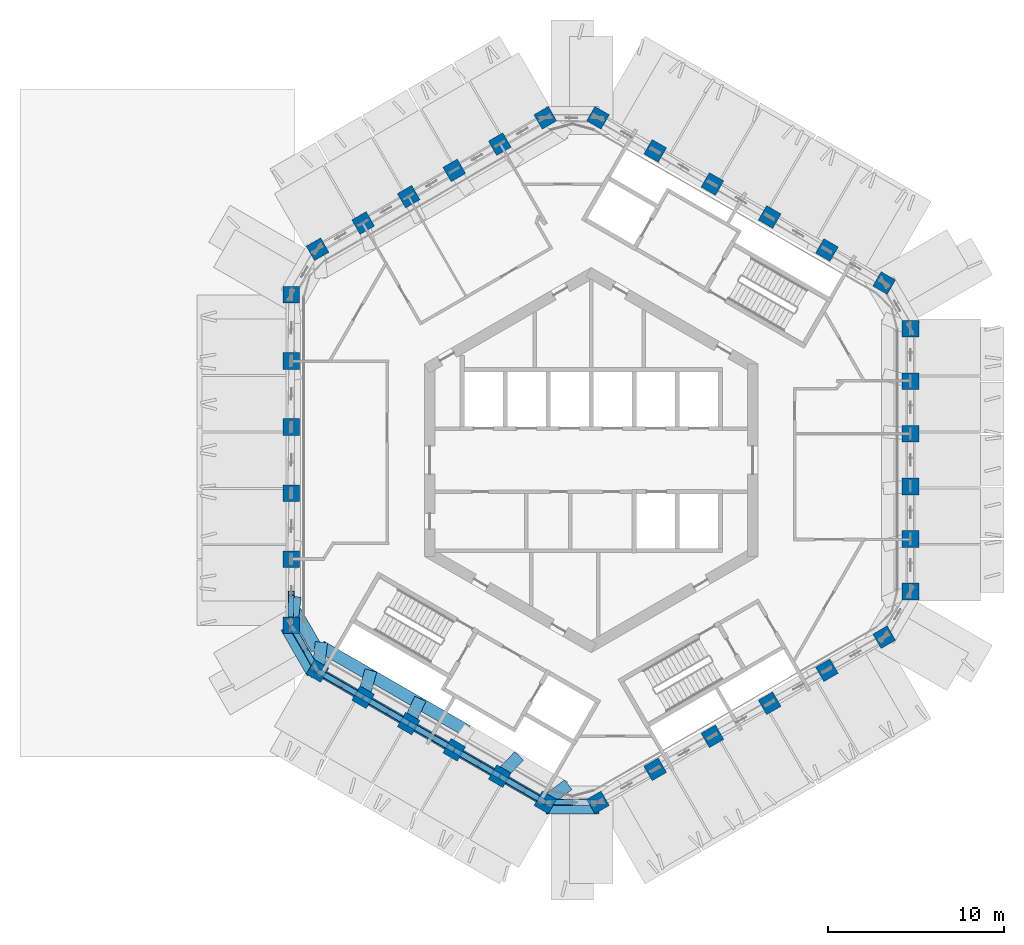
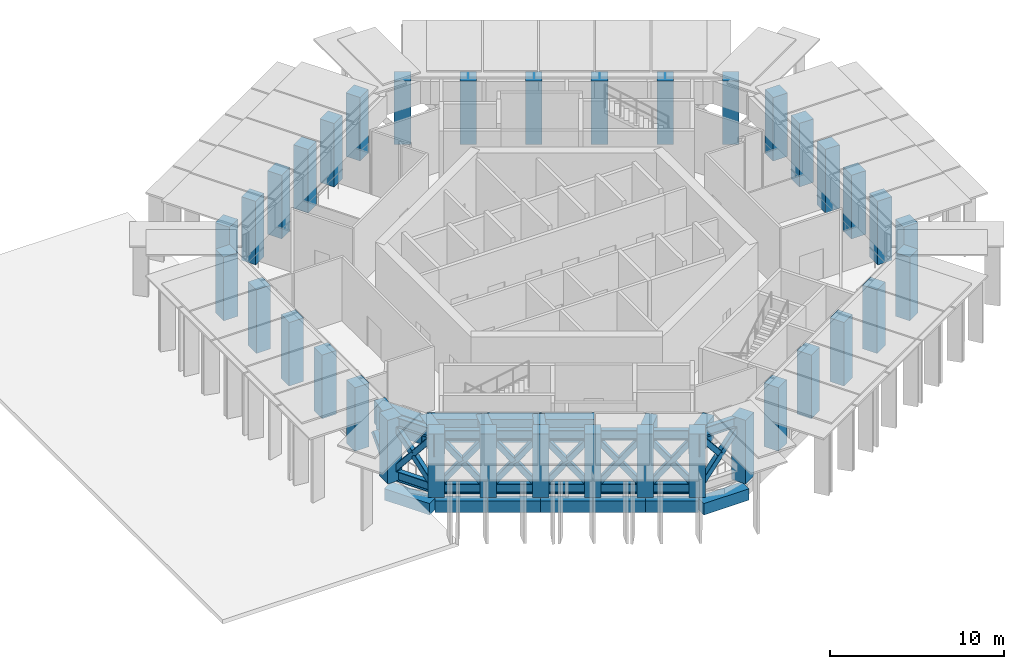
# One storey, part 1 of 15: 36 columns, 34 members, 17 beams.
"""IFC4 building model written with IfcOpenShell, lengths in metres."""

import ifcopenshell
import ifcopenshell.guid

model = None  # the IFC model being written
_history = None  # IfcOwnerHistory: only IFC2X3 demands one
_inside = {}  # id of a spatial element -> (the spatial element, [elements in it])
_under = {}  # id of a project, library or spatial element -> (it, [spatial elements below it])
_declared = {}  # id of a project -> (the project, [libraries it declares])
_typed = {}  # id of a type object -> (the type object, [elements of that type])
_made_of = {}  # id of a material, layer set ... -> (it, [elements and type objects made of it])


def new_model(schema):
    """Start an empty IFC model of exactly this schema.

    Asked for "IFC4X3", IfcOpenShell would pick the latest addendum, in which some entities
    have other attributes; the version numbers below select the first issue.
    IFC2X3 requires an IfcOwnerHistory on every rooted entity: one is made here for all.
    """
    global model, _history
    if schema == "IFC4X3":
        model = ifcopenshell.file(schema_version=(4, 3, 0, 0))
    else:
        model = ifcopenshell.file(schema=schema)
    _inside.clear()
    _under.clear()
    _declared.clear()
    _typed.clear()
    _made_of.clear()
    _history = None
    if model.schema == "IFC2X3":
        org = make("IfcOrganization", Name="unknown")
        user = make(
            "IfcPersonAndOrganization",
            ThePerson=make("IfcPerson", FamilyName="unknown"),
            TheOrganization=org,
        )
        app = make(
            "IfcApplication",
            ApplicationDeveloper=org,
            Version="unknown",
            ApplicationFullName="unknown",
            ApplicationIdentifier="unknown",
        )
        _history = make(
            "IfcOwnerHistory",
            OwningUser=user,
            OwningApplication=app,
            ChangeAction="ADDED",
            CreationDate=0,
        )
    return model


def make(cls, **values):
    """One entity of the class cls with the attributes given. An attribute that is None is left unset."""
    return model.create_entity(
        cls, **{name: value for name, value in values.items() if value is not None}
    )


def rooted(cls, **values):
    """An entity with a GlobalId (a new one), such as an element, a storey or a relation."""
    return make(cls, GlobalId=ifcopenshell.guid.new(), OwnerHistory=_history, **values)


def si_unit(unit_type, name, prefix=None):
    """IfcSIUnit, for example si_unit("LENGTHUNIT", "METRE", prefix="MILLI")."""
    return make("IfcSIUnit", UnitType=unit_type, Prefix=prefix, Name=name)


def assignment(units):
    """IfcUnitAssignment: the units of a project."""
    return None if units is None else make("IfcUnitAssignment", Units=units)


def point(xyz):
    """IfcCartesianPoint."""
    return None if xyz is None else make("IfcCartesianPoint", Coordinates=xyz)


def direction(xyz):
    """IfcDirection."""
    return None if xyz is None else make("IfcDirection", DirectionRatios=xyz)


def frame(location, z_axis=None, x_axis=None):
    """IfcAxis2Placement3D, a coordinate frame: its origin and axes. An axis left out is left unset."""
    return make(
        "IfcAxis2Placement3D",
        Location=point(location),
        Axis=direction(z_axis),
        RefDirection=direction(x_axis),
    )


def frame_2d(location, x_axis=None):
    """IfcAxis2Placement2D, a coordinate frame in the plane: its origin and x axis."""
    return make(
        "IfcAxis2Placement2D", Location=point(location), RefDirection=direction(x_axis)
    )


def origin():
    """The frame at (0, 0, 0) with its axes left unset."""
    return frame((0.0, 0.0, 0.0))


def origin_2d():
    """The frame at (0, 0) in the plane with its x axis left unset."""
    return frame_2d((0.0, 0.0))


def place(relative_to, where):
    """IfcLocalPlacement: puts the frame where relative to a parent placement (None: the world)."""
    return make(
        "IfcLocalPlacement", PlacementRelTo=relative_to, RelativePlacement=where
    )


def context(
    kind, dimensions, precision=None, world=None, true_north=None, identifier=None
):
    """IfcGeometricRepresentationContext, for example the 3D "Model" context."""
    return make(
        "IfcGeometricRepresentationContext",
        ContextIdentifier=identifier,
        ContextType=kind,
        CoordinateSpaceDimension=dimensions,
        Precision=precision,
        WorldCoordinateSystem=world,
        TrueNorth=true_north,
    )


def subcontext(parent, identifier, kind, view, scale=None):
    """IfcGeometricRepresentationSubContext, for example "Body" below "Model"."""
    return make(
        "IfcGeometricRepresentationSubContext",
        ContextIdentifier=identifier,
        ContextType=kind,
        ParentContext=parent,
        TargetScale=scale,
        TargetView=view,
    )


def project(units=None, contexts=None):
    """IfcProject with its units and contexts."""
    return rooted(
        "IfcProject",
        Name="project",
        RepresentationContexts=contexts,
        UnitsInContext=assignment(units),
    )


def spatial(cls, under=None, at=None, **own):
    """A site, building, storey or space (cls), placed at a placement, below another one or the project."""
    s = rooted(cls, ObjectPlacement=at, **own)
    if under is not None:
        _under.setdefault(under.id(), (under, []))[1].append(s)
    return s


def profile(cls, at=None, kind="AREA", **sizes):
    """A parametric profile (cls). Its sizes go by their IFC names, for example OverallWidth=200.0."""
    return make(cls, ProfileType=kind, Position=at, **sizes)


def rectangle(**sizes):
    """IfcRectangleProfileDef."""
    return profile("IfcRectangleProfileDef", **sizes)


def hollow_rectangle(**sizes):
    """IfcRectangleHollowProfileDef."""
    return profile("IfcRectangleHollowProfileDef", **sizes)


def i_section(**sizes):
    """IfcIShapeProfileDef."""
    return profile("IfcIShapeProfileDef", **sizes)


def extrude(swept, where, along, depth):
    """IfcExtrudedAreaSolid: the profile swept, set in the frame where, extruded along a direction by depth."""
    return make(
        "IfcExtrudedAreaSolid",
        SweptArea=swept,
        Position=where,
        ExtrudedDirection=direction(along),
        Depth=depth,
    )


def shape(context_of_items, identifier, shape_type, items):
    """IfcShapeRepresentation: the items that make up one representation, for example the "Body"."""
    return make(
        "IfcShapeRepresentation",
        ContextOfItems=context_of_items,
        RepresentationIdentifier=identifier,
        RepresentationType=shape_type,
        Items=items,
    )


def material(Name=None, Category=None):
    """IfcMaterial."""
    return make("IfcMaterial", Name=Name, Category=Category)


def material_profile(
    of_material, cross_section, Name=None, Category=None, Priority=None
):
    """IfcMaterialProfile: a cross section and its material."""
    return make(
        "IfcMaterialProfile",
        Name=Name,
        Material=of_material,
        Profile=cross_section,
        Priority=Priority,
        Category=Category,
    )


def profile_set(profiles, Name=None, composite=None):
    """IfcMaterialProfileSet."""
    return make(
        "IfcMaterialProfileSet",
        Name=Name,
        MaterialProfiles=profiles,
        CompositeProfile=composite,
    )


def made_of(thing, what):
    """Note that an element or type object is made of a material, layer set ...; save() writes the relation."""
    if what is not None:
        _made_of.setdefault(what.id(), (what, []))[1].append(thing)
    return thing


def type_object(cls, material=None, **own):
    """A type object (cls), such as IfcWallType, which elements share."""
    return made_of(rooted(cls, **own), material)


def element(
    cls,
    number,
    at=None,
    inside=None,
    cuts=None,
    type_object=None,
    material=None,
    context=None,
    identifier="Body",
    shape_type=None,
    held_by="IfcProductDefinitionShape",
    body=None,
    shapes=None,
    **own,
):
    """One element of the class cls, such as IfcWall. Its Tag is "e" and its number.

    at: its placement. inside: the storey or other place that contains it. cuts: it is an
    opening in that element (IfcRelVoidsElement). A single representation is given by context,
    identifier, shape_type and body (its items); several are given by shapes. held_by: the class
    of the entity that holds the representations. save() writes the other relations.
    """
    e = rooted(cls, Tag="e%d" % number, ObjectPlacement=at, **own)
    if body is not None:
        shapes = [shape(context, identifier, shape_type, body)]
    if shapes is not None:
        e.Representation = make(held_by, Representations=shapes)
    if inside is not None:
        _inside.setdefault(inside.id(), (inside, []))[1].append(e)
    if cuts is not None:
        rooted(
            "IfcRelVoidsElement", RelatingBuildingElement=cuts, RelatedOpeningElement=e
        )
    if type_object is not None:
        _typed.setdefault(type_object.id(), (type_object, []))[1].append(e)
    return made_of(e, material)


def aggregate(whole, parts):
    """IfcRelAggregates: a whole, such as a stair, and the parts it consists of."""
    return rooted("IfcRelAggregates", RelatingObject=whole, RelatedObjects=parts)


def save(model, path):
    """Write the relations noted so far, then the file.

    IfcRelAggregates (storeys below a building ...), IfcRelContainedInSpatialStructure (elements
    in a storey), IfcRelDefinesByType, IfcRelAssociatesMaterial and IfcRelDeclares: one each for
    every whole, place, type object, material and project.
    """
    for whole, parts in _under.values():
        aggregate(whole, parts)
    for where, things in _inside.values():
        rooted(
            "IfcRelContainedInSpatialStructure",
            RelatedElements=things,
            RelatingStructure=where,
        )
    for kind, things in _typed.values():
        rooted("IfcRelDefinesByType", RelatedObjects=things, RelatingType=kind)
    for what, things in _made_of.values():
        rooted("IfcRelAssociatesMaterial", RelatedObjects=things, RelatingMaterial=what)
    for by, libraries in _declared.values():
        rooted("IfcRelDeclares", RelatingContext=by, RelatedDefinitions=libraries)
    model.write(path)


model = new_model("IFC4")

# Units and contexts
model_context = context("Model", 3, precision=1e-05, world=origin(), true_north=direction((0.0, 1.0)))
body_context = subcontext(model_context, "Body", "Model", "MODEL_VIEW")
ifc_project = project(units=[si_unit("LENGTHUNIT", "METRE"), si_unit("AREAUNIT", "SQUARE_METRE"), si_unit("VOLUMEUNIT", "CUBIC_METRE"), si_unit("PLANEANGLEUNIT", "RADIAN"), si_unit("MASSUNIT", "GRAM", prefix="KILO")], contexts=[model_context])

# Site, building, storey
site_placement = place(None, origin())
site = spatial("IfcSite", under=ifc_project, at=site_placement, CompositionType="ELEMENT")
building_placement = place(site_placement, origin())
building = spatial("IfcBuilding", under=site, at=building_placement, Name="Ayvan Gate Tower", CompositionType="ELEMENT")
storey_placement = place(building_placement, frame((0.0, 0.0, 214.10009765625)))
storey = spatial("IfcBuildingStorey", under=building, at=storey_placement, Name="L57", CompositionType="ELEMENT", Elevation=214.10009765625)

# Columns
ifc_material_1 = material(Name="Concrete C55/67", Category="concrete")
ifc_material_profile_1 = material_profile(ifc_material_1, rectangle(XDim=0.949951171875, YDim=0.949951171875, at=origin_2d()), Name="RC 950x950")
ifc_profile_set_1 = profile_set([ifc_material_profile_1], Name="Concrete C55/67")
column_type = type_object("IfcColumnType", Name="Tube column RC 950x950 C55/67", PredefinedType="COLUMN", material=ifc_profile_set_1)
for number, where, z_axis, x_axis, name in (
    (1, (18.1865234375, -7.485595703125, 0.0), (0.0, 0.0, 1.0), (1.0, 0.0, 0.0), "C-T0-0-L57"),
    (2, (18.1865234375, -4.491455078125, 0.0), (0.0, 0.0, 1.0), (1.0, 0.0, 0.0), "C-T0-1-L57"),
    (3, (18.1865234375, -1.4970703125, 0.0), (0.0, 0.0, 1.0), (1.0, 0.0, 0.0), "C-T0-2-L57"),
    (4, (18.1865234375, 1.4970703125, 0.0), (0.0, 0.0, 1.0), (1.0, 0.0, 0.0), "C-T0-3-L57"),
    (5, (18.1865234375, 4.491455078125, 0.0), (0.0, 0.0, 1.0), (1.0, 0.0, 0.0), "C-T0-4-L57"),
    (6, (18.1865234375, 7.485595703125, 0.0), (0.0, 0.0, 1.0), (1.0, 0.0, 0.0), "C-T0-5-L57"),
    (7, (16.6865234375, 10.083740234375, 0.0), (0.0, 0.0, 1.0), (0.5, 0.866025403784, 0.0), "C-T1-0-L57"),
    (8, (13.427001953125, 11.965576171875, 0.0), (0.0, 0.0, 1.0), (0.5, 0.866025403784, 0.0), "C-T1-1-L57"),
    (9, (10.167724609375, 13.847412109375, 0.0), (0.0, 0.0, 1.0), (0.5, 0.866025403784, 0.0), "C-T1-2-L57"),
    (10, (6.908203125, 15.72900390625, 0.0), (0.0, 0.0, 1.0), (0.5, 0.866025403784, 0.0), "C-T1-3-L57"),
    (11, (3.64892578125, 17.61083984375, 0.0), (0.0, 0.0, 1.0), (0.5, 0.866025403784, 0.0), "C-T1-4-L57"),
    (12, (0.389404296875, 19.49267578125, 0.0), (0.0, 0.0, 1.0), (0.5, 0.866025403784, 0.0), "C-T1-5-L57"),
    (13, (-2.610595703125, 19.49267578125, 0.0), (0.0, 0.0, 1.0), (-0.5, 0.866025403784, 0.0), "C-T2-0-L57"),
    (14, (-5.20361328125, 17.99560546875, 0.0), (0.0, 0.0, 1.0), (-0.5, 0.866025403784, 0.0), "C-T2-1-L57"),
    (15, (-7.796630859375, 16.49853515625, 0.0), (0.0, 0.0, 1.0), (-0.5, 0.866025403784, 0.0), "C-T2-2-L57"),
    (16, (-10.389892578125, 15.00146484375, 0.0), (0.0, 0.0, 1.0), (-0.5, 0.866025403784, 0.0), "C-T2-3-L57"),
    (17, (-12.98291015625, 13.50439453125, 0.0), (0.0, 0.0, 1.0), (-0.5, 0.866025403784, 0.0), "C-T2-4-L57"),
    (18, (-15.575927734375, 12.00732421875, 0.0), (0.0, 0.0, 1.0), (-0.5, 0.866025403784, 0.0), "C-T2-5-L57"),
    (19, (-17.075927734375, 9.4091796875, 0.0), (0.0, 0.0, 1.0), (-1.0, 0.0, 0.0), "C-T3-0-L57"),
    (20, (-17.075927734375, 5.6455078125, 0.0), (0.0, 0.0, 1.0), (-1.0, 0.0, 0.0), "C-T3-1-L57"),
    (21, (-17.075927734375, 1.8818359375, 0.0), (0.0, 0.0, 1.0), (-1.0, 0.0, 0.0), "C-T3-2-L57"),
    (22, (-17.075927734375, -1.8818359375, 0.0), (0.0, 0.0, 1.0), (-1.0, 0.0, 0.0), "C-T3-3-L57"),
    (23, (-17.075927734375, -5.6455078125, 0.0), (0.0, 0.0, 1.0), (-1.0, 0.0, 0.0), "C-T3-4-L57"),
    (24, (-17.075927734375, -9.4091796875, 0.0), (0.0, 0.0, 1.0), (-1.0, 0.0, 0.0), "C-T3-5-L57"),
    (25, (-15.575927734375, -12.00732421875, 0.0), (0.0, 0.0, 1.0), (-0.5, -0.866025403784, 0.0), "C-T4-0-L57"),
    (26, (-12.98291015625, -13.50439453125, 0.0), (0.0, 0.0, 1.0), (-0.5, -0.866025403784, 0.0), "C-T4-1-L57"),
    (27, (-10.389892578125, -15.00146484375, 0.0), (0.0, 0.0, 1.0), (-0.5, -0.866025403784, 0.0), "C-T4-2-L57"),
    (28, (-7.796630859375, -16.49853515625, 0.0), (0.0, 0.0, 1.0), (-0.5, -0.866025403784, 0.0), "C-T4-3-L57"),
    (29, (-5.20361328125, -17.99560546875, 0.0), (0.0, 0.0, 1.0), (-0.5, -0.866025403784, 0.0), "C-T4-4-L57"),
    (30, (-2.610595703125, -19.49267578125, 0.0), (0.0, 0.0, 1.0), (-0.5, -0.866025403784, 0.0), "C-T4-5-L57"),
    (31, (0.389404296875, -19.49267578125, 0.0), (0.0, 0.0, 1.0), (0.5, -0.866025403784, 0.0), "C-T5-0-L57"),
    (32, (3.64892578125, -17.61083984375, 0.0), (0.0, 0.0, 1.0), (0.5, -0.866025403784, 0.0), "C-T5-1-L57"),
    (33, (6.908203125, -15.72900390625, 0.0), (0.0, 0.0, 1.0), (0.5, -0.866025403784, 0.0), "C-T5-2-L57"),
    (34, (10.167724609375, -13.847412109375, 0.0), (0.0, 0.0, 1.0), (0.5, -0.866025403784, 0.0), "C-T5-3-L57"),
    (35, (13.427001953125, -11.965576171875, 0.0), (0.0, 0.0, 1.0), (0.5, -0.866025403784, 0.0), "C-T5-4-L57"),
    (36, (16.6865234375, -10.083740234375, 0.0), (0.0, 0.0, 1.0), (0.5, -0.866025403784, 0.0), "C-T5-5-L57"),
):
    element("IfcColumn", number, at=place(storey_placement, frame(where, z_axis=z_axis, x_axis=x_axis)), inside=storey, type_object=column_type, Name=name, PredefinedType="COLUMN", context=body_context, shape_type="SweptSolid", body=[
        extrude(rectangle(XDim=0.949951171875, YDim=0.949951171875, at=origin_2d()), origin(), (0.0, 0.0, 1.0), 4.449951171875),
    ])

# Members
ifc_material_2 = material(Name="Steel S460NH", Category="steel")
ifc_material_profile_2 = material_profile(ifc_material_2, hollow_rectangle(XDim=0.35009765625, YDim=0.35009765625, WallThickness=0.01611328125, InnerFilletRadius=0.01611328125, OuterFilletRadius=0.02392578125, at=origin_2d()), Name="RHS 350x350x16")
ifc_profile_set_2 = profile_set([ifc_material_profile_2], Name="Steel S460NH")
member_type_1 = type_object("IfcMemberType", Name="Belt truss brace BT3 RHS 350x350x16", PredefinedType="BRACE", material=ifc_profile_set_2)
member_1_placement = place(storey_placement, frame((-17.108642578125, -9.39013671875, 0.349853515625), z_axis=(0.012370179868, 0.70548087339, 0.708620995971), x_axis=(-0.999846307946, 0.017531699492, 0.0)))
element("IfcMember", 37, at=member_1_placement, inside=storey, type_object=member_type_1, Name="BT3-DB-23", PredefinedType="BRACE", context=body_context, shape_type="SweptSolid", body=[
    extrude(hollow_rectangle(XDim=0.35009765625, YDim=0.35009765625, WallThickness=0.01611328125, InnerFilletRadius=0.01611328125, OuterFilletRadius=0.02392578125, at=origin_2d()), origin(), (0.0, 0.0, 1.0), 2.565673828125),
])
member_2_placement = place(storey_placement, frame((-17.108642578125, -9.39013671875, 0.349853515625), z_axis=(0.323188376872, -0.544208500482, 0.774200478596), x_axis=(0.859809949914, 0.51061418902, 0.0)))
element("IfcMember", 38, at=member_2_placement, inside=storey, type_object=member_type_1, Name="BT3-DA-24", PredefinedType="BRACE", context=body_context, shape_type="SweptSolid", body=[
    extrude(hollow_rectangle(XDim=0.35009765625, YDim=0.35009765625, WallThickness=0.01611328125, InnerFilletRadius=0.01611328125, OuterFilletRadius=0.02392578125, at=origin_2d()), origin(), (0.0, 0.0, 1.0), 4.84375),
])
for number, where, z_axis, x_axis, name in (
    (39, (-15.608642578125, -11.98828125, 0.349853515625), (-0.301266279316, 0.537611797033, 0.787535513255), (-0.872365087204, -0.488854942316, 0.0), "BT3-DB-24"),
    (40, (-16.349853515625, -10.66552734375, 2.287353515625), (-0.30124909797, 0.537687210426, 0.787490599764), (-0.872406213905, -0.488781544188, 0.0), "BT3-DC-24"),
):
    element("IfcMember", number, at=place(storey_placement, frame(where, z_axis=z_axis, x_axis=x_axis)), inside=storey, type_object=member_type_1, Name=name, PredefinedType="BRACE", context=body_context, shape_type="SweptSolid", body=[
        extrude(hollow_rectangle(XDim=0.35009765625, YDim=0.35009765625, WallThickness=0.01611328125, InnerFilletRadius=0.01611328125, OuterFilletRadius=0.02392578125, at=origin_2d()), origin(), (0.0, 0.0, 1.0), 2.301513671875),
    ])
member_3_placement = place(storey_placement, frame((-15.608642578125, -11.98828125, 0.349853515625), z_axis=(0.54696167093, -0.315780012305, 0.775316654253), x_axis=(0.499989958791, 0.866031201001, 0.0)))
element("IfcMember", 41, at=member_3_placement, inside=storey, type_object=member_type_1, Name="BT3-DA-25", PredefinedType="BRACE", context=body_context, shape_type="SweptSolid", body=[
    extrude(hollow_rectangle(XDim=0.35009765625, YDim=0.35009765625, WallThickness=0.01611328125, InnerFilletRadius=0.01611328125, OuterFilletRadius=0.02392578125, at=origin_2d()), origin(), (0.0, 0.0, 1.0), 4.836669921875),
])
member_4_placement = place(storey_placement, frame((-13.00244140625, -13.492919921875, 0.349853515625), z_axis=(-0.533601577849, 0.308066259047, 0.787632234075), x_axis=(-0.499989342298, -0.866031556924, 0.0)))
element("IfcMember", 42, at=member_4_placement, inside=storey, type_object=member_type_1, Name="BT3-DB-25", PredefinedType="BRACE", context=body_context, shape_type="SweptSolid", body=[
    extrude(hollow_rectangle(XDim=0.35009765625, YDim=0.35009765625, WallThickness=0.01611328125, InnerFilletRadius=0.01611328125, OuterFilletRadius=0.02392578125, at=origin_2d()), origin(), (0.0, 0.0, 1.0), 2.313232421875),
])
member_5_placement = place(storey_placement, frame((-14.32177734375, -12.7314453125, 2.296875), z_axis=(-0.533580699209, 0.308118057169, 0.787626117062), x_axis=(-0.500067063991, -0.865986680909, 0.0)))
element("IfcMember", 43, at=member_5_placement, inside=storey, type_object=member_type_1, Name="BT3-DC-25", PredefinedType="BRACE", context=body_context, shape_type="SweptSolid", body=[
    extrude(hollow_rectangle(XDim=0.35009765625, YDim=0.35009765625, WallThickness=0.01611328125, InnerFilletRadius=0.01611328125, OuterFilletRadius=0.02392578125, at=origin_2d()), origin(), (0.0, 0.0, 1.0), 2.2890625),
])
member_6_placement = place(storey_placement, frame((-13.00244140625, -13.492919921875, 0.349853515625), z_axis=(0.543662068796, -0.313892883494, 0.778397592907), x_axis=(0.500011280007, 0.866018891171, 0.0)))
element("IfcMember", 44, at=member_6_placement, inside=storey, type_object=member_type_1, Name="BT3-DA-26", PredefinedType="BRACE", context=body_context, shape_type="SweptSolid", body=[
    extrude(hollow_rectangle(XDim=0.35009765625, YDim=0.35009765625, WallThickness=0.01611328125, InnerFilletRadius=0.01611328125, OuterFilletRadius=0.02392578125, at=origin_2d()), origin(), (0.0, 0.0, 1.0), 4.817626953125),
])
member_7_placement = place(storey_placement, frame((-10.396240234375, -14.99755859375, 0.349853515625), z_axis=(-0.537017146838, 0.309975252696, 0.784555878646), x_axis=(-0.499913221443, -0.866075499611, 0.0)))
element("IfcMember", 45, at=member_7_placement, inside=storey, type_object=member_type_1, Name="BT3-DB-26", PredefinedType="BRACE", context=body_context, shape_type="SweptSolid", body=[
    extrude(hollow_rectangle(XDim=0.35009765625, YDim=0.35009765625, WallThickness=0.01611328125, InnerFilletRadius=0.01611328125, OuterFilletRadius=0.02392578125, at=origin_2d()), origin(), (0.0, 0.0, 1.0), 2.32275390625),
])
member_8_placement = place(storey_placement, frame((-11.72900390625, -14.228271484375, 2.296630859375), z_axis=(-0.536956568849, 0.310064535009, 0.784562060834), x_axis=(-0.500063520245, -0.865988727248, 0.0)))
element("IfcMember", 46, at=member_8_placement, inside=storey, type_object=member_type_1, Name="BT3-DC-26", PredefinedType="BRACE", context=body_context, shape_type="SweptSolid", body=[
    extrude(hollow_rectangle(XDim=0.35009765625, YDim=0.35009765625, WallThickness=0.01611328125, InnerFilletRadius=0.01611328125, OuterFilletRadius=0.02392578125, at=origin_2d()), origin(), (0.0, 0.0, 1.0), 2.29833984375),
])
member_9_placement = place(storey_placement, frame((-10.396240234375, -14.99755859375, 0.349853515625), z_axis=(0.540350492875, -0.312020485152, 0.78145029381), x_axis=(0.50005887527, 0.865991409463, 0.0)))
element("IfcMember", 47, at=member_9_placement, inside=storey, type_object=member_type_1, Name="BT3-DA-27", PredefinedType="BRACE", context=body_context, shape_type="SweptSolid", body=[
    extrude(hollow_rectangle(XDim=0.35009765625, YDim=0.35009765625, WallThickness=0.01611328125, InnerFilletRadius=0.01611328125, OuterFilletRadius=0.02392578125, at=origin_2d()), origin(), (0.0, 0.0, 1.0), 4.798828125),
])
member_10_placement = place(storey_placement, frame((-7.790283203125, -16.50244140625, 0.349853515625), z_axis=(-0.540300241283, 0.311973400314, 0.781503836693), x_axis=(-0.500037157592, -0.866003949776, 0.0)))
element("IfcMember", 48, at=member_10_placement, inside=storey, type_object=member_type_1, Name="BT3-DB-27", PredefinedType="BRACE", context=body_context, shape_type="SweptSolid", body=[
    extrude(hollow_rectangle(XDim=0.35009765625, YDim=0.35009765625, WallThickness=0.01611328125, InnerFilletRadius=0.01611328125, OuterFilletRadius=0.02392578125, at=origin_2d()), origin(), (0.0, 0.0, 1.0), 2.33203125),
])
member_11_placement = place(storey_placement, frame((-9.13623046875, -15.72509765625, 2.29638671875), z_axis=(-0.540367158358, 0.311969998042, 0.781458926937), x_axis=(-0.499986626058, -0.866033125095, 0.0)))
element("IfcMember", 49, at=member_11_placement, inside=storey, type_object=member_type_1, Name="BT3-DC-27", PredefinedType="BRACE", context=body_context, shape_type="SweptSolid", body=[
    extrude(hollow_rectangle(XDim=0.35009765625, YDim=0.35009765625, WallThickness=0.01611328125, InnerFilletRadius=0.01611328125, OuterFilletRadius=0.02392578125, at=origin_2d()), origin(), (0.0, 0.0, 1.0), 2.307861328125),
])
member_12_placement = place(storey_placement, frame((-7.790283203125, -16.50244140625, 0.349853515625), z_axis=(0.537016922782, -0.310033547773, 0.784532997331), x_axis=(0.499983892715, 0.86603470313, 0.0)))
element("IfcMember", 50, at=member_12_placement, inside=storey, type_object=member_type_1, Name="BT3-DA-28", PredefinedType="BRACE", context=body_context, shape_type="SweptSolid", body=[
    extrude(hollow_rectangle(XDim=0.35009765625, YDim=0.35009765625, WallThickness=0.01611328125, InnerFilletRadius=0.01611328125, OuterFilletRadius=0.02392578125, at=origin_2d()), origin(), (0.0, 0.0, 1.0), 4.780029296875),
])
member_13_placement = place(storey_placement, frame((-5.18408203125, -18.007080078125, 0.349853515625), z_axis=(-0.54361754326, 0.313930269036, 0.778413612961), x_axis=(-0.500086656873, -0.865975366634, 0.0)))
element("IfcMember", 51, at=member_13_placement, inside=storey, type_object=member_type_1, Name="BT3-DB-28", PredefinedType="BRACE", context=body_context, shape_type="SweptSolid", body=[
    extrude(hollow_rectangle(XDim=0.35009765625, YDim=0.35009765625, WallThickness=0.01611328125, InnerFilletRadius=0.01611328125, OuterFilletRadius=0.02392578125, at=origin_2d()), origin(), (0.0, 0.0, 1.0), 2.341552734375),
])
member_14_placement = place(storey_placement, frame((-6.54345703125, -17.22216796875, 2.296142578125), z_axis=(-0.543662379424, 0.313870199284, 0.778406523098), x_axis=(-0.49998396455, -0.866034661658, 0.0)))
element("IfcMember", 52, at=member_14_placement, inside=storey, type_object=member_type_1, Name="BT3-DC-28", PredefinedType="BRACE", context=body_context, shape_type="SweptSolid", body=[
    extrude(hollow_rectangle(XDim=0.35009765625, YDim=0.35009765625, WallThickness=0.01611328125, InnerFilletRadius=0.01611328125, OuterFilletRadius=0.02392578125, at=origin_2d()), origin(), (0.0, 0.0, 1.0), 2.317138671875),
])
member_15_placement = place(storey_placement, frame((-5.18408203125, -18.007080078125, 0.349853515625), z_axis=(0.533635254222, -0.308069626921, 0.787608100784), x_axis=(0.499969776107, 0.866042852854, 0.0)))
element("IfcMember", 53, at=member_15_placement, inside=storey, type_object=member_type_1, Name="BT3-DA-29", PredefinedType="BRACE", context=body_context, shape_type="SweptSolid", body=[
    extrude(hollow_rectangle(XDim=0.35009765625, YDim=0.35009765625, WallThickness=0.01611328125, InnerFilletRadius=0.01611328125, OuterFilletRadius=0.02392578125, at=origin_2d()), origin(), (0.0, 0.0, 1.0), 4.76123046875),
])
member_16_placement = place(storey_placement, frame((-2.577880859375, -19.51171875, 0.349853515625), z_axis=(-0.546912598104, 0.315770117873, 0.775355300939), x_axis=(-0.500011854745, -0.866018559336, 0.0)))
element("IfcMember", 54, at=member_16_placement, inside=storey, type_object=member_type_1, Name="BT3-DB-29", PredefinedType="BRACE", context=body_context, shape_type="SweptSolid", body=[
    extrude(hollow_rectangle(XDim=0.35009765625, YDim=0.35009765625, WallThickness=0.01611328125, InnerFilletRadius=0.01611328125, OuterFilletRadius=0.02392578125, at=origin_2d()), origin(), (0.0, 0.0, 1.0), 2.35107421875),
])
member_17_placement = place(storey_placement, frame((-3.95068359375, -18.718994140625, 2.2958984375), z_axis=(-0.546991764358, 0.31572956435, 0.775315969086), x_axis=(-0.49990941631, -0.866077695986, 0.0)))
element("IfcMember", 55, at=member_17_placement, inside=storey, type_object=member_type_1, Name="BT3-DC-29", PredefinedType="BRACE", context=body_context, shape_type="SweptSolid", body=[
    extrude(hollow_rectangle(XDim=0.35009765625, YDim=0.35009765625, WallThickness=0.01611328125, InnerFilletRadius=0.01611328125, OuterFilletRadius=0.02392578125, at=origin_2d()), origin(), (0.0, 0.0, 1.0), 2.32666015625),
])
member_18_placement = place(storey_placement, frame((-2.577880859375, -19.51171875, 0.349853515625), z_axis=(0.616261152215, 0.007946795224, 0.787501771882), x_axis=(-0.012894102702, 0.999916867602, 0.0)))
element("IfcMember", 56, at=member_18_placement, inside=storey, type_object=member_type_1, Name="BT3-DA-30", PredefinedType="BRACE", context=body_context, shape_type="SweptSolid", body=[
    extrude(hollow_rectangle(XDim=0.35009765625, YDim=0.35009765625, WallThickness=0.01611328125, InnerFilletRadius=0.01611328125, OuterFilletRadius=0.02392578125, at=origin_2d()), origin(), (0.0, 0.0, 1.0), 4.761962890625),
])
member_19_placement = place(storey_placement, frame((-1.160888671875, -19.4921875, 2.286376953125), z_axis=(-0.632877830836, 0.007817166883, 0.774212208078), x_axis=(-0.012350836531, -0.99992372551, 0.0)))
element("IfcMember", 57, at=member_19_placement, inside=storey, type_object=member_type_1, Name="BT3-DC-30", PredefinedType="BRACE", context=body_context, shape_type="SweptSolid", body=[
    extrude(hollow_rectangle(XDim=0.35009765625, YDim=0.35009765625, WallThickness=0.01611328125, InnerFilletRadius=0.01611328125, OuterFilletRadius=0.02392578125, at=origin_2d()), origin(), (0.0, 0.0, 1.0), 2.34228515625),
])
ifc_material_3 = material(Name="Steel S460ML", Category="steel")
ifc_material_profile_3 = material_profile(ifc_material_3, i_section(OverallWidth=0.300048828125, OverallDepth=0.699951171875, WebThickness=0.01708984375, FlangeThickness=0.031982421875, FilletRadius=0.027099609375, at=origin_2d()), Name="HE 700 B")
ifc_profile_set_3 = profile_set([ifc_material_profile_3], Name="Steel S460ML")
member_type_2 = type_object("IfcMemberType", Name="Belt truss chord BT3 HE 700 B", PredefinedType="CHORD", material=ifc_profile_set_3)
for number, where, z_axis, x_axis, name in (
    (58, (-17.108642578125, -9.39013671875, 0.349853515625), (0.499990139034, -0.866031096941, 0.0), (0.866031096941, 0.499990139034, 0.0), "BT3-BC-24"),
    (59, (-17.043212890625, -9.427978515625, 4.099853515625), (0.499990139034, -0.866031096941, 0.0), (0.866031096941, 0.499990139034, 0.0), "BT3-TC-24"),
):
    element("IfcMember", number, at=place(storey_placement, frame(where, z_axis=z_axis, x_axis=x_axis)), inside=storey, type_object=member_type_2, Name=name, PredefinedType="CHORD", context=body_context, shape_type="SweptSolid", body=[
        extrude(i_section(OverallWidth=0.300048828125, OverallDepth=0.699951171875, WebThickness=0.01708984375, FlangeThickness=0.031982421875, FilletRadius=0.027099609375, at=origin_2d()), origin(), (0.0, 0.0, 1.0), 3.0),
    ])
member_20_placement = place(storey_placement, frame((-15.608642578125, -11.98828125, 0.349853515625), z_axis=(0.866032925658, -0.499986971506, 0.0), x_axis=(0.499986971506, 0.866032925658, 0.0)))
element("IfcMember", 60, at=member_20_placement, inside=storey, type_object=member_type_2, Name="BT3-BC-25", PredefinedType="CHORD", context=body_context, shape_type="SweptSolid", body=[
    extrude(i_section(OverallWidth=0.300048828125, OverallDepth=0.699951171875, WebThickness=0.01708984375, FlangeThickness=0.031982421875, FilletRadius=0.027099609375, at=origin_2d()), origin(), (0.0, 0.0, 1.0), 3.00927734375),
])
member_21_placement = place(storey_placement, frame((-15.543212890625, -12.026123046875, 4.099853515625), z_axis=(0.866040933244, -0.499973101223, 0.0), x_axis=(0.499973101223, 0.866040933244, 0.0)))
element("IfcMember", 61, at=member_21_placement, inside=storey, type_object=member_type_2, Name="BT3-TC-25", PredefinedType="CHORD", context=body_context, shape_type="SweptSolid", body=[
    extrude(i_section(OverallWidth=0.300048828125, OverallDepth=0.699951171875, WebThickness=0.01708984375, FlangeThickness=0.031982421875, FilletRadius=0.027099609375, at=origin_2d()), origin(), (0.0, 0.0, 1.0), 2.979248046875),
])
member_22_placement = place(storey_placement, frame((-13.00244140625, -13.492919921875, 0.349853515625), z_axis=(0.866032925658, -0.499986971506, 0.0), x_axis=(0.499986971506, 0.866032925658, 0.0)))
element("IfcMember", 62, at=member_22_placement, inside=storey, type_object=member_type_2, Name="BT3-BC-26", PredefinedType="CHORD", context=body_context, shape_type="SweptSolid", body=[
    extrude(i_section(OverallWidth=0.300048828125, OverallDepth=0.699951171875, WebThickness=0.01708984375, FlangeThickness=0.031982421875, FilletRadius=0.027099609375, at=origin_2d()), origin(), (0.0, 0.0, 1.0), 3.00927734375),
])
member_23_placement = place(storey_placement, frame((-12.963134765625, -13.515625, 4.099853515625), z_axis=(0.866020445925, -0.500008587166, 0.0), x_axis=(0.500008587166, 0.866020445925, 0.0)))
element("IfcMember", 63, at=member_23_placement, inside=storey, type_object=member_type_2, Name="BT3-TC-26", PredefinedType="CHORD", context=body_context, shape_type="SweptSolid", body=[
    extrude(i_section(OverallWidth=0.300048828125, OverallDepth=0.699951171875, WebThickness=0.01708984375, FlangeThickness=0.031982421875, FilletRadius=0.027099609375, at=origin_2d()), origin(), (0.0, 0.0, 1.0), 2.97900390625),
])
member_24_placement = place(storey_placement, frame((-10.396240234375, -14.99755859375, 0.349853515625), z_axis=(0.865977509449, -0.500082946248, 0.0), x_axis=(0.500082946248, 0.865977509449, 0.0)))
element("IfcMember", 64, at=member_24_placement, inside=storey, type_object=member_type_2, Name="BT3-BC-27", PredefinedType="CHORD", context=body_context, shape_type="SweptSolid", body=[
    extrude(i_section(OverallWidth=0.300048828125, OverallDepth=0.699951171875, WebThickness=0.01708984375, FlangeThickness=0.031982421875, FilletRadius=0.027099609375, at=origin_2d()), origin(), (0.0, 0.0, 1.0), 3.00927734375),
])
member_25_placement = place(storey_placement, frame((-10.38330078125, -15.005126953125, 4.099853515625), z_axis=(0.866005448672, -0.500034561676, 0.0), x_axis=(0.500034561676, 0.866005448672, 0.0)))
element("IfcMember", 65, at=member_25_placement, inside=storey, type_object=member_type_2, Name="BT3-TC-27", PredefinedType="CHORD", context=body_context, shape_type="SweptSolid", body=[
    extrude(i_section(OverallWidth=0.300048828125, OverallDepth=0.699951171875, WebThickness=0.01708984375, FlangeThickness=0.031982421875, FilletRadius=0.027099609375, at=origin_2d()), origin(), (0.0, 0.0, 1.0), 2.979248046875),
])
member_26_placement = place(storey_placement, frame((-7.790283203125, -16.50244140625, 0.349853515625), z_axis=(0.866032925658, -0.499986971506, 0.0), x_axis=(0.499986971506, 0.866032925658, 0.0)))
element("IfcMember", 66, at=member_26_placement, inside=storey, type_object=member_type_2, Name="BT3-BC-28", PredefinedType="CHORD", context=body_context, shape_type="SweptSolid", body=[
    extrude(i_section(OverallWidth=0.300048828125, OverallDepth=0.699951171875, WebThickness=0.01708984375, FlangeThickness=0.031982421875, FilletRadius=0.027099609375, at=origin_2d()), origin(), (0.0, 0.0, 1.0), 3.00927734375),
])
member_27_placement = place(storey_placement, frame((-7.80322265625, -16.494873046875, 4.099853515625), z_axis=(0.866020445925, -0.500008587166, 0.0), x_axis=(0.500008587166, 0.866020445925, 0.0)))
element("IfcMember", 67, at=member_27_placement, inside=storey, type_object=member_type_2, Name="BT3-TC-28", PredefinedType="CHORD", context=body_context, shape_type="SweptSolid", body=[
    extrude(i_section(OverallWidth=0.300048828125, OverallDepth=0.699951171875, WebThickness=0.01708984375, FlangeThickness=0.031982421875, FilletRadius=0.027099609375, at=origin_2d()), origin(), (0.0, 0.0, 1.0), 2.97900390625),
])
member_28_placement = place(storey_placement, frame((-5.18408203125, -18.007080078125, 0.349853515625), z_axis=(0.866032925658, -0.499986971506, 0.0), x_axis=(0.499986971506, 0.866032925658, 0.0)))
element("IfcMember", 68, at=member_28_placement, inside=storey, type_object=member_type_2, Name="BT3-BC-29", PredefinedType="CHORD", context=body_context, shape_type="SweptSolid", body=[
    extrude(i_section(OverallWidth=0.300048828125, OverallDepth=0.699951171875, WebThickness=0.01708984375, FlangeThickness=0.031982421875, FilletRadius=0.027099609375, at=origin_2d()), origin(), (0.0, 0.0, 1.0), 3.00927734375),
])
member_29_placement = place(storey_placement, frame((-5.223388671875, -17.984375, 4.099853515625), z_axis=(0.866040933244, -0.499973101223, 0.0), x_axis=(0.499973101223, 0.866040933244, 0.0)))
element("IfcMember", 69, at=member_29_placement, inside=storey, type_object=member_type_2, Name="BT3-TC-29", PredefinedType="CHORD", context=body_context, shape_type="SweptSolid", body=[
    extrude(i_section(OverallWidth=0.300048828125, OverallDepth=0.699951171875, WebThickness=0.01708984375, FlangeThickness=0.031982421875, FilletRadius=0.027099609375, at=origin_2d()), origin(), (0.0, 0.0, 1.0), 2.979248046875),
])
member_30_placement = place(storey_placement, frame((-2.643310546875, -19.473876953125, 4.099853515625), z_axis=(1.0, 0.0, 0.0), x_axis=(0.0, 1.0, 0.0)))
element("IfcMember", 70, at=member_30_placement, inside=storey, type_object=member_type_2, Name="BT3-TC-30", PredefinedType="CHORD", context=body_context, shape_type="SweptSolid", body=[
    extrude(i_section(OverallWidth=0.300048828125, OverallDepth=0.699951171875, WebThickness=0.01708984375, FlangeThickness=0.031982421875, FilletRadius=0.027099609375, at=origin_2d()), origin(), (0.0, 0.0, 1.0), 3.0),
])

# Beams
ifc_material_4 = material(Name="Concrete C40/50", Category="concrete")
ifc_material_profile_4 = material_profile(ifc_material_4, rectangle(XDim=0.800048828125, YDim=0.800048828125, at=origin_2d()), Name="RC 800x800")
ifc_profile_set_4 = profile_set([ifc_material_profile_4], Name="Concrete C40/50")
beam_type_1 = type_object("IfcBeamType", Name="Corner spandrel beam RC 800x800 C40/50", PredefinedType="BEAM", material=ifc_profile_set_4)
beam_1_placement = place(storey_placement, frame((-17.3193359375, -9.48876953125, -0.800048828125), z_axis=(0.50002537861, -0.866010750942, 0.0), x_axis=(0.866010750942, 0.50002537861, 0.0)))
element("IfcBeam", 71, at=beam_1_placement, inside=storey, type_object=beam_type_1, Name="SB-L57-24", PredefinedType="BEAM", context=body_context, shape_type="SweptSolid", body=[
    extrude(rectangle(XDim=0.800048828125, YDim=0.800048828125, at=origin_2d()), origin(), (0.0, 0.0, 1.0), 2.999755859375),
])
beam_2_placement = place(storey_placement, frame((-2.557861328125, -19.7431640625, -0.800048828125), z_axis=(1.0, 0.0, 0.0), x_axis=(0.0, 1.0, 0.0)))
element("IfcBeam", 72, at=beam_2_placement, inside=storey, type_object=beam_type_1, Name="SB-L57-30", PredefinedType="BEAM", context=body_context, shape_type="SweptSolid", body=[
    extrude(rectangle(XDim=0.800048828125, YDim=0.800048828125, at=origin_2d()), origin(), (0.0, 0.0, 1.0), 3.0),
])
ifc_material_profile_5 = material_profile(ifc_material_4, rectangle(XDim=0.5, YDim=0.800048828125, at=origin_2d()), Name="RC 500x800")
ifc_profile_set_5 = profile_set([ifc_material_profile_5], Name="Concrete C40/50")
beam_type_2 = type_object("IfcBeamType", Name="Spandrel beam RC 500x800 C40/50", PredefinedType="BEAM", material=ifc_profile_set_5)
for number, where, z_axis, x_axis, name in (
    (73, (-15.628662109375, -11.976806640625, -0.800048828125), (0.866014522945, -0.500018845694, 0.0), (0.500018845694, 0.866014522945, 0.0), "SB-L57-25"),
    (74, (-13.0146484375, -13.486083984375, -0.800048828125), (0.8660347431, -0.499983823482, 0.0), (0.499983823482, 0.8660347431, 0.0), "SB-L57-26"),
    (75, (-10.400390625, -14.995361328125, -0.800048828125), (0.8660347431, -0.499983823482, 0.0), (0.499983823482, 0.8660347431, 0.0), "SB-L57-27"),
    (76, (-7.7861328125, -16.504638671875, -0.800048828125), (0.8660347431, -0.499983823482, 0.0), (0.499983823482, 0.8660347431, 0.0), "SB-L57-28"),
    (77, (-5.171875, -18.013916015625, -0.800048828125), (0.866014522945, -0.500018845694, 0.0), (0.500018845694, 0.866014522945, 0.0), "SB-L57-29"),
):
    element("IfcBeam", number, at=place(storey_placement, frame(where, z_axis=z_axis, x_axis=x_axis)), inside=storey, type_object=beam_type_2, Name=name, PredefinedType="BEAM", context=body_context, shape_type="SweptSolid", body=[
        extrude(rectangle(XDim=0.5, YDim=0.800048828125, at=origin_2d()), origin(), (0.0, 0.0, 1.0), 3.0185546875),
    ])
ifc_material_profile_6 = material_profile(ifc_material_3, hollow_rectangle(XDim=0.699951171875, YDim=1.60009765625, WallThickness=0.044921875, at=origin_2d()), Name="BOX 700x1600x45")
ifc_profile_set_6 = profile_set([ifc_material_profile_6], Name="Steel S460ML")
beam_type_3 = type_object("IfcBeamType", Name="Transfer ring girder BOX 700x1600x45", PredefinedType="BEAM", material=ifc_profile_set_6)
beam_3_placement = place(storey_placement, frame((-17.121337890625, -8.15283203125, 3.64990234375), z_axis=(0.499990139034, -0.866031096941, 0.0), x_axis=(0.866031096941, 0.499990139034, 0.0)))
element("IfcBeam", 78, at=beam_3_placement, inside=storey, type_object=beam_type_3, Name="TR-L57-24", PredefinedType="BEAM", context=body_context, shape_type="SweptSolid", body=[
    extrude(hollow_rectangle(XDim=0.699951171875, YDim=1.60009765625, WallThickness=0.044921875, at=origin_2d()), origin(), (0.0, 0.0, 1.0), 3.0),
])
beam_4_placement = place(storey_placement, frame((-15.387451171875, -10.615966796875, 3.64990234375), z_axis=(0.865990351068, -0.500060708172, 0.0), x_axis=(0.500060708172, 0.865990351068, 0.0)))
element("IfcBeam", 79, at=beam_4_placement, inside=storey, type_object=beam_type_3, Name="TR-L57-25", PredefinedType="BEAM", context=body_context, shape_type="SweptSolid", body=[
    extrude(hollow_rectangle(XDim=0.699951171875, YDim=1.60009765625, WallThickness=0.044921875, at=origin_2d()), origin(), (0.0, 0.0, 1.0), 3.20703125),
])
for number, where, z_axis, x_axis, name in (
    (80, (-12.610107421875, -12.2197265625, 3.64990234375), (0.866042346109, -0.499970653885, 0.0), (0.499970653885, 0.866042346109, 0.0), "TR-L57-26"),
    (81, (-9.83251953125, -13.8232421875, 3.64990234375), (0.866042346109, -0.499970653885, 0.0), (0.499970653885, 0.866042346109, 0.0), "TR-L57-27"),
):
    element("IfcBeam", number, at=place(storey_placement, frame(where, z_axis=z_axis, x_axis=x_axis)), inside=storey, type_object=beam_type_3, Name=name, PredefinedType="BEAM", context=body_context, shape_type="SweptSolid", body=[
        extrude(hollow_rectangle(XDim=0.699951171875, YDim=1.60009765625, WallThickness=0.044921875, at=origin_2d()), origin(), (0.0, 0.0, 1.0), 3.207275390625),
    ])
for number, where, z_axis, x_axis, name in (
    (82, (-17.097412109375, -9.82080078125, 3.64990234375), (0.115620213946, 0.993293494455, 0.0), (-0.993293494455, 0.115620213946, 0.0), "TS-L57-T3-5"),
    (83, (-15.597412109375, -12.4189453125, 3.64990234375), (0.115620213946, 0.993293494455, 0.0), (-0.993293494455, 0.115620213946, 0.0), "TS-L57-T4-0"),
):
    element("IfcBeam", number, at=place(storey_placement, frame(where, z_axis=z_axis, x_axis=x_axis)), inside=storey, type_object=beam_type_3, Name=name, PredefinedType="BEAM", context=body_context, shape_type="SweptSolid", body=[
        extrude(hollow_rectangle(XDim=0.699951171875, YDim=1.60009765625, WallThickness=0.044921875, at=origin_2d()), origin(), (0.0, 0.0, 1.0), 2.065185546875),
    ])
beam_5_placement = place(storey_placement, frame((-13.07470703125, -13.8984375, 3.64990234375), z_axis=(0.266828293704, 0.963744085159, 0.0), x_axis=(-0.963744085159, 0.266828293704, 0.0)))
element("IfcBeam", 84, at=beam_5_placement, inside=storey, type_object=beam_type_3, Name="TS-L57-T4-1", PredefinedType="BEAM", context=body_context, shape_type="SweptSolid", body=[
    extrude(hollow_rectangle(XDim=0.699951171875, YDim=1.60009765625, WallThickness=0.044921875, at=origin_2d()), origin(), (0.0, 0.0, 1.0), 1.991943359375),
])
beam_6_placement = place(storey_placement, frame((-10.55419921875, -15.36669921875, 3.64990234375), z_axis=(0.423569359714, 0.905863674905, 0.0), x_axis=(-0.905863674905, 0.423569359714, 0.0)))
element("IfcBeam", 85, at=beam_6_placement, inside=storey, type_object=beam_type_3, Name="TS-L57-T4-2", PredefinedType="BEAM", context=body_context, shape_type="SweptSolid", body=[
    extrude(hollow_rectangle(XDim=0.699951171875, YDim=1.60009765625, WallThickness=0.044921875, at=origin_2d()), origin(), (0.0, 0.0, 1.0), 1.953857421875),
])
beam_7_placement = place(storey_placement, frame((-5.4990234375, -18.272216796875, 3.64990234375), z_axis=(0.701199146567, 0.712965466803, 0.0), x_axis=(-0.712965466803, 0.701199146567, 0.0)))
element("IfcBeam", 86, at=beam_7_placement, inside=storey, type_object=beam_type_3, Name="TS-L57-T4-4", PredefinedType="BEAM", context=body_context, shape_type="SweptSolid", body=[
    extrude(hollow_rectangle(XDim=0.699951171875, YDim=1.60009765625, WallThickness=0.044921875, at=origin_2d()), origin(), (0.0, 0.0, 1.0), 1.991943359375),
])
beam_8_placement = place(storey_placement, frame((-2.956298828125, -19.717041015625, 3.64990234375), z_axis=(0.802447824371, 0.596722288139, 0.0), x_axis=(-0.596722288139, 0.802447824371, 0.0)))
element("IfcBeam", 87, at=beam_8_placement, inside=storey, type_object=beam_type_3, Name="TS-L57-T4-5", PredefinedType="BEAM", context=body_context, shape_type="SweptSolid", body=[
    extrude(hollow_rectangle(XDim=0.699951171875, YDim=1.60009765625, WallThickness=0.044921875, at=origin_2d()), origin(), (0.0, 0.0, 1.0), 2.06494140625),
])

save(model, "model.ifc")
